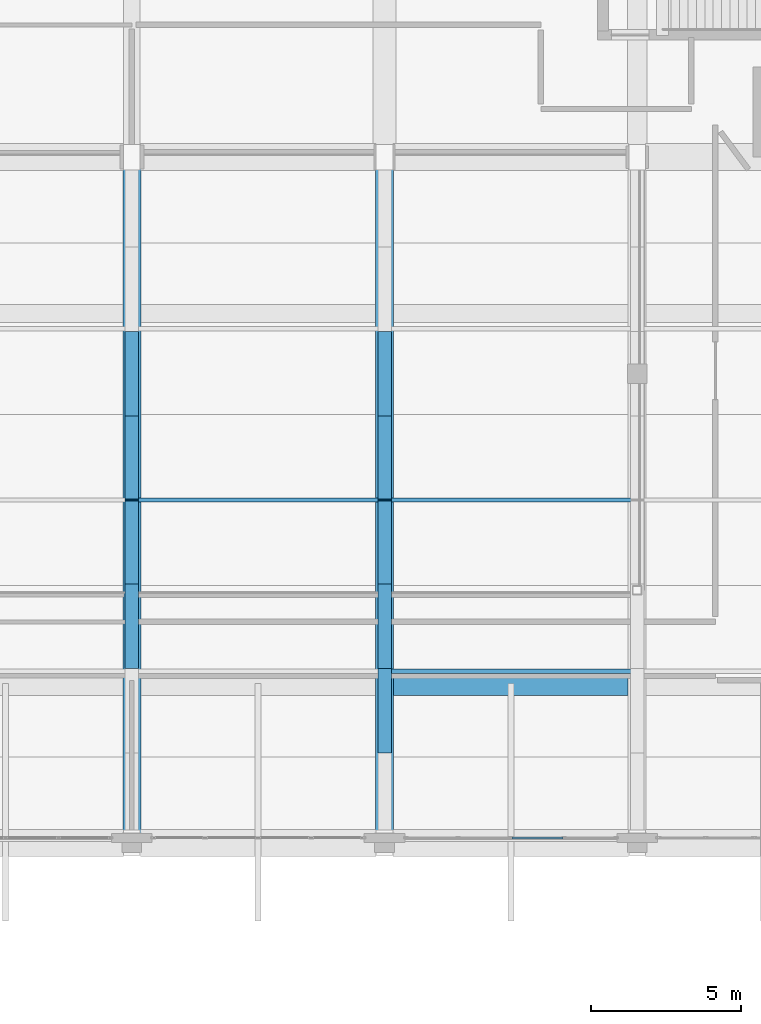
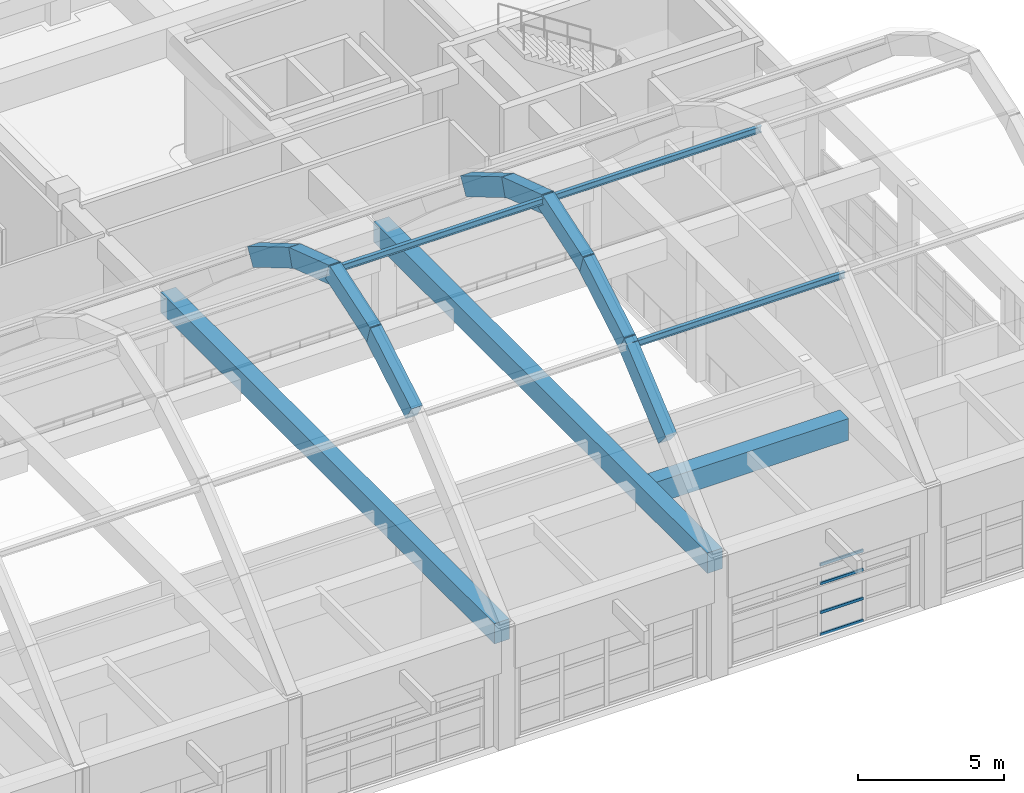
# One storey, part 46 of 103: 12 beams, 7 members, 1 element without a shape of its own.
"""IFC4 building model written with IfcOpenShell, lengths in metres."""

from ifc_helpers import new_model, si_unit, direction, frame, origin, origin_2d, place, context, subcontext, project, spatial, rectangle, hollow_rectangle, i_section, extrude, material, layer, layer_set, material_profile, profile_set, type_object, element, aggregate, save


model = new_model("IFC4")

# Units and contexts
model_context = context("Model", 3, precision=1e-05, world=origin(), true_north=direction((0.0, 1.0)))
body_context = subcontext(model_context, "Body", "Model", "MODEL_VIEW")
ifc_project = project(units=[si_unit("LENGTHUNIT", "METRE"), si_unit("AREAUNIT", "SQUARE_METRE"), si_unit("VOLUMEUNIT", "CUBIC_METRE"), si_unit("PLANEANGLEUNIT", "RADIAN"), si_unit("MASSUNIT", "GRAM", prefix="KILO")], contexts=[model_context])

# Site, building, storey
site_placement = place(None, origin())
site = spatial("IfcSite", under=ifc_project, at=site_placement, CompositionType="ELEMENT")
building_placement = place(site_placement, origin())
building = spatial("IfcBuilding", under=site, at=building_placement, Name="Quendrovan Civic Courthouse", CompositionType="ELEMENT")
storey_placement = place(building_placement, frame((0.0, 0.0, 15.300048828125)))
storey = spatial("IfcBuildingStorey", under=building, at=storey_placement, Name="L04", CompositionType="ELEMENT", Elevation=15.300048828125)

# Beams
ifc_material_1 = material(Name="Post-tensioned concrete C50/60", Category="concrete")
ifc_material_profile_1 = material_profile(ifc_material_1, rectangle(XDim=0.60009765625, YDim=0.85009765625, at=origin_2d()), Name="PT-TIE-600x850")
ifc_profile_set_1 = profile_set([ifc_material_profile_1], Name="Post-tensioned concrete C50/60")
beam_type_1 = type_object("IfcBeamType", Name="BM-PTTIE850", PredefinedType="BEAM", material=ifc_profile_set_1)
for number, where, z_axis, x_axis, name in (
    (1, (67.199951171875, 64.800048828125, 4.675048828125), (0.0, 1.0, 0.0), (-1.0, 0.0, 0.0), "BV2 Vault Post-Tensioned Tie Beam A5"),
    (2, (75.60009765625, 64.800048828125, 4.675048828125), (0.0, 1.0, 0.0), (-1.0, 0.0, 0.0), "BV2 Vault Post-Tensioned Tie Beam A6"),
):
    element("IfcBeam", number, at=place(storey_placement, frame(where, z_axis=z_axis, x_axis=x_axis)), inside=storey, type_object=beam_type_1, Name=name, PredefinedType="BEAM", context=body_context, shape_type="SweptSolid", body=[
        extrude(rectangle(XDim=0.60009765625, YDim=0.85009765625, at=origin_2d()), origin(), (0.0, 0.0, 1.0), 22.800048828125),
    ])
ifc_material_2 = material(Name="Concrete C40/50", Category="concrete")
ifc_material_profile_2 = material_profile(ifc_material_2, rectangle(XDim=0.60009765625, YDim=0.89990234375, at=origin_2d()), Name="RC-BM-600x900")
ifc_profile_set_2 = profile_set([ifc_material_profile_2], Name="Concrete C40/50")
beam_type_2 = type_object("IfcBeamType", Name="BM-RC900", PredefinedType="BEAM", material=ifc_profile_set_2)
beam_1_placement = place(storey_placement, frame((75.89990234375, 70.0, 4.349853515625), z_axis=(1.0, 0.0, 0.0), x_axis=(0.0, 1.0, 0.0)))
element("IfcBeam", 3, at=beam_1_placement, inside=storey, type_object=beam_type_2, Name="BV2 Eave Backspan Collector Beam S-B6", PredefinedType="BEAM", context=body_context, shape_type="SweptSolid", body=[
    extrude(rectangle(XDim=0.60009765625, YDim=0.89990234375, at=origin_2d()), origin(), (0.0, 0.0, 1.0), 7.800048828125),
])
ifc_material_profile_3 = material_profile(ifc_material_2, rectangle(XDim=0.449951171875, YDim=0.75, at=origin_2d()), Name="RC-VRIB-450x750")
ifc_profile_set_3 = profile_set([ifc_material_profile_3], Name="Concrete C40/50")
beam_type_3 = type_object("IfcBeamType", Name="BM-VRIB750", PredefinedType="BEAM", material=ifc_profile_set_3)
beam_2_placement = place(storey_placement, frame((67.199951171875, 70.7919921875, 10.1806640625), z_axis=(0.0, 0.861355141515, 0.508003267889), x_axis=(-1.0, 0.0, 0.0)))
element("IfcBeam", 4, at=beam_2_placement, inside=storey, type_object=beam_type_3, Name="BV2 Concrete Vault Arch Rib A5-C3", PredefinedType="BEAM", context=body_context, shape_type="SweptSolid", body=[
    extrude(rectangle(XDim=0.449951171875, YDim=0.75, at=origin_2d()), origin(), (0.0, 0.0, 1.0), 3.308837890625),
])
for number, where, z_axis, x_axis, name in (
    (5, (67.199951171875, 73.531494140625, 11.811279296875), (0.0, 0.948848042791, 0.315733101989), (-1.0, 0.0, 0.0), "BV2 Concrete Vault Arch Rib A5-C4"),
    (6, (67.199951171875, 76.05859375, 12.746337890625), (0.0, 0.948839823913, -0.315757800468), (-1.0, 0.0, 0.0), "BV2 Concrete Vault Arch Rib A5-C5"),
):
    element("IfcBeam", number, at=place(storey_placement, frame(where, z_axis=z_axis, x_axis=x_axis)), inside=storey, type_object=beam_type_3, Name=name, PredefinedType="BEAM", context=body_context, shape_type="SweptSolid", body=[
        extrude(rectangle(XDim=0.449951171875, YDim=0.75, at=origin_2d()), origin(), (0.0, 0.0, 1.0), 2.96142578125),
    ])
beam_3_placement = place(storey_placement, frame((67.199951171875, 78.7578125, 11.861572265625), z_axis=(0.0, 0.861355141515, -0.508003267889), x_axis=(-1.0, 0.0, 0.0)))
element("IfcBeam", 7, at=beam_3_placement, inside=storey, type_object=beam_type_3, Name="BV2 Concrete Vault Arch Rib A5-C6", PredefinedType="BEAM", context=body_context, shape_type="SweptSolid", body=[
    extrude(rectangle(XDim=0.449951171875, YDim=0.75, at=origin_2d()), origin(), (0.0, 0.0, 1.0), 3.308837890625),
])
beam_4_placement = place(storey_placement, frame((75.60009765625, 68.022216796875, 7.818603515625), z_axis=(0.0, 0.762391958025, 0.647115524724), x_axis=(-1.0, 0.0, 0.0)))
element("IfcBeam", 8, at=beam_4_placement, inside=storey, type_object=beam_type_3, Name="BV2 Concrete Vault Arch Rib A6-C2", PredefinedType="BEAM", context=body_context, shape_type="SweptSolid", body=[
    extrude(rectangle(XDim=0.449951171875, YDim=0.75, at=origin_2d()), origin(), (0.0, 0.0, 1.0), 3.738037109375),
])
beam_5_placement = place(storey_placement, frame((75.60009765625, 70.7919921875, 10.1806640625), z_axis=(0.0, 0.861355141515, 0.508003267889), x_axis=(-1.0, 0.0, 0.0)))
element("IfcBeam", 9, at=beam_5_placement, inside=storey, type_object=beam_type_3, Name="BV2 Concrete Vault Arch Rib A6-C3", PredefinedType="BEAM", context=body_context, shape_type="SweptSolid", body=[
    extrude(rectangle(XDim=0.449951171875, YDim=0.75, at=origin_2d()), origin(), (0.0, 0.0, 1.0), 3.308837890625),
])
for number, where, z_axis, x_axis, name in (
    (10, (75.60009765625, 73.531494140625, 11.811279296875), (0.0, 0.948848042791, 0.315733101989), (-1.0, 0.0, 0.0), "BV2 Concrete Vault Arch Rib A6-C4"),
    (11, (75.60009765625, 76.05859375, 12.746337890625), (0.0, 0.948839823913, -0.315757800468), (-1.0, 0.0, 0.0), "BV2 Concrete Vault Arch Rib A6-C5"),
):
    element("IfcBeam", number, at=place(storey_placement, frame(where, z_axis=z_axis, x_axis=x_axis)), inside=storey, type_object=beam_type_3, Name=name, PredefinedType="BEAM", context=body_context, shape_type="SweptSolid", body=[
        extrude(rectangle(XDim=0.449951171875, YDim=0.75, at=origin_2d()), origin(), (0.0, 0.0, 1.0), 2.96142578125),
    ])
beam_6_placement = place(storey_placement, frame((75.60009765625, 78.7578125, 11.861572265625), z_axis=(0.0, 0.861355141515, -0.508003267889), x_axis=(-1.0, 0.0, 0.0)))
element("IfcBeam", 12, at=beam_6_placement, inside=storey, type_object=beam_type_3, Name="BV2 Concrete Vault Arch Rib A6-C6", PredefinedType="BEAM", context=body_context, shape_type="SweptSolid", body=[
    extrude(rectangle(XDim=0.449951171875, YDim=0.75, at=origin_2d()), origin(), (0.0, 0.0, 1.0), 3.308837890625),
])

# Curtain wall, members
ifc_material_3 = material(Name="Bronze anodised aluminium and low-E glass", Category="aluminium")
ifc_layer = layer(ifc_material_3, 0.179931640625, Name="Bronze anodised aluminium and low-E glass")
ifc_layer_set = layer_set([ifc_layer], Name="Bronze anodised aluminium and low-E glass")
curtain_wall_type = type_object("IfcCurtainWallType", Name="CW-U70x30", PredefinedType="USERDEFINED", material=ifc_layer_set)
curtain_wall_placement = place(storey_placement, origin())
curtain_wall = element("IfcCurtainWall", 13, at=curtain_wall_placement, inside=storey, type_object=curtain_wall_type, Name="L04 Unitised Hurricane Curtain Wall CW-159", ObjectType="UNITISED CURTAIN WALL", PredefinedType="USERDEFINED")
ifc_material_4 = material(Name="Bronze anodised aluminium", Category="aluminium")
ifc_material_profile_4 = material_profile(ifc_material_4, hollow_rectangle(XDim=0.06494140625, YDim=0.114990234375, WallThickness=0.00390625, at=origin_2d()), Name="CW-TRAN-65x115")
ifc_profile_set_4 = profile_set([ifc_material_profile_4], Name="Bronze anodised aluminium")
member_type_1 = type_object("IfcMemberType", Name="CW-TRAN-B", PredefinedType="USERDEFINED", material=ifc_profile_set_4)
member_1_placement = place(storey_placement, frame((81.530029296875, 64.965087890625, 0.032470703125), z_axis=(-1.0, 0.0, 0.0), x_axis=(0.0, -1.0, 0.0)))
member_1 = element("IfcMember", 14, at=member_1_placement, type_object=member_type_1, Name="CW-159 transom 2.1", ObjectType="TRANSOM", PredefinedType="USERDEFINED", context=body_context, shape_type="SweptSolid", body=[
    extrude(hollow_rectangle(XDim=0.06494140625, YDim=0.114990234375, WallThickness=0.00390625, at=origin_2d()), origin(), (0.0, 0.0, 1.0), 1.697509765625),
])
member_2_placement = place(storey_placement, frame((81.530029296875, 64.965087890625, 0.949951171875), z_axis=(-1.0, 0.0, 0.0), x_axis=(0.0, -1.0, 0.0)))
member_2 = element("IfcMember", 15, at=member_2_placement, type_object=member_type_1, Name="CW-159 transom 2.2", ObjectType="TRANSOM", PredefinedType="USERDEFINED", context=body_context, shape_type="SweptSolid", body=[
    extrude(hollow_rectangle(XDim=0.06494140625, YDim=0.114990234375, WallThickness=0.00390625, at=origin_2d()), origin(), (0.0, 0.0, 1.0), 1.697509765625),
])
member_3_placement = place(storey_placement, frame((81.530029296875, 64.965087890625, 2.14990234375), z_axis=(-1.0, 0.0, 0.0), x_axis=(0.0, -1.0, 0.0)))
member_3 = element("IfcMember", 16, at=member_3_placement, type_object=member_type_1, Name="CW-159 transom 2.3", ObjectType="TRANSOM", PredefinedType="USERDEFINED", context=body_context, shape_type="SweptSolid", body=[
    extrude(hollow_rectangle(XDim=0.06494140625, YDim=0.114990234375, WallThickness=0.00390625, at=origin_2d()), origin(), (0.0, 0.0, 1.0), 1.697509765625),
])
member_4_placement = place(storey_placement, frame((81.530029296875, 64.965087890625, 2.9375), z_axis=(-1.0, 0.0, 0.0), x_axis=(0.0, -1.0, 0.0)))
member_4 = element("IfcMember", 17, at=member_4_placement, type_object=member_type_1, Name="CW-159 transom 2.4", ObjectType="TRANSOM", PredefinedType="USERDEFINED", context=body_context, shape_type="SweptSolid", body=[
    extrude(hollow_rectangle(XDim=0.06494140625, YDim=0.114990234375, WallThickness=0.00390625, at=origin_2d()), origin(), (0.0, 0.0, 1.0), 1.697509765625),
])
aggregate(curtain_wall, [member_1, member_2, member_3, member_4])

# Members
ifc_material_5 = material(Name="Steel ASTM A992 Grade 50", Category="steel")
ifc_material_profile_5 = material_profile(ifc_material_5, i_section(OverallWidth=0.14599609375, OverallDepth=0.258056640625, WebThickness=0.006103515625, FlangeThickness=0.009033203125, at=origin_2d()), Name="W250x33")
ifc_profile_set_5 = profile_set([ifc_material_profile_5], Name="Steel ASTM A992 Grade 50")
member_type_2 = type_object("IfcMemberType", Name="MEM-PUR-W250", PredefinedType="PURLIN", material=ifc_profile_set_5)
member_5_placement = place(storey_placement, frame((67.199951171875, 76.199951171875, 12.85986328125), z_axis=(1.0, 0.0, 0.0), x_axis=(0.0, 1.0, 0.0)))
element("IfcMember", 18, at=member_5_placement, inside=storey, type_object=member_type_2, Name="BV2 Vault Longitudinal Purlin B5-2", PredefinedType="PURLIN", context=body_context, shape_type="SweptSolid", body=[
    extrude(i_section(OverallWidth=0.14599609375, OverallDepth=0.258056640625, WebThickness=0.006103515625, FlangeThickness=0.009033203125, at=origin_2d()), origin(), (0.0, 0.0, 1.0), 8.400146484375),
])
for number, where, z_axis, x_axis, name in (
    (19, (75.60009765625, 70.5, 10.23583984375), (1.0, 0.0, 0.0), (0.0, 1.0, 0.0), "BV2 Vault Longitudinal Purlin B6-1"),
    (20, (75.60009765625, 76.199951171875, 12.85986328125), (1.0, 0.0, 0.0), (0.0, 1.0, 0.0), "BV2 Vault Longitudinal Purlin B6-2"),
):
    element("IfcMember", number, at=place(storey_placement, frame(where, z_axis=z_axis, x_axis=x_axis)), inside=storey, type_object=member_type_2, Name=name, PredefinedType="PURLIN", context=body_context, shape_type="SweptSolid", body=[
        extrude(i_section(OverallWidth=0.14599609375, OverallDepth=0.258056640625, WebThickness=0.006103515625, FlangeThickness=0.009033203125, at=origin_2d()), origin(), (0.0, 0.0, 1.0), 8.39990234375),
    ])

save(model, "model.ifc")
